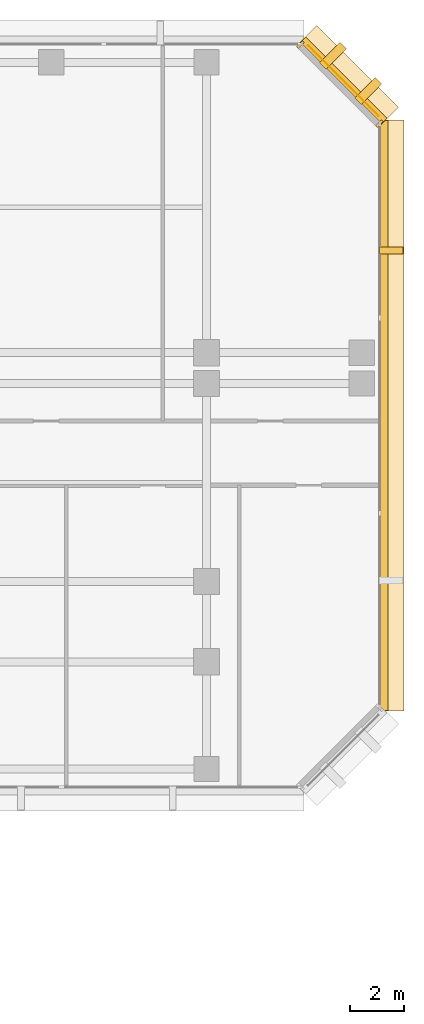
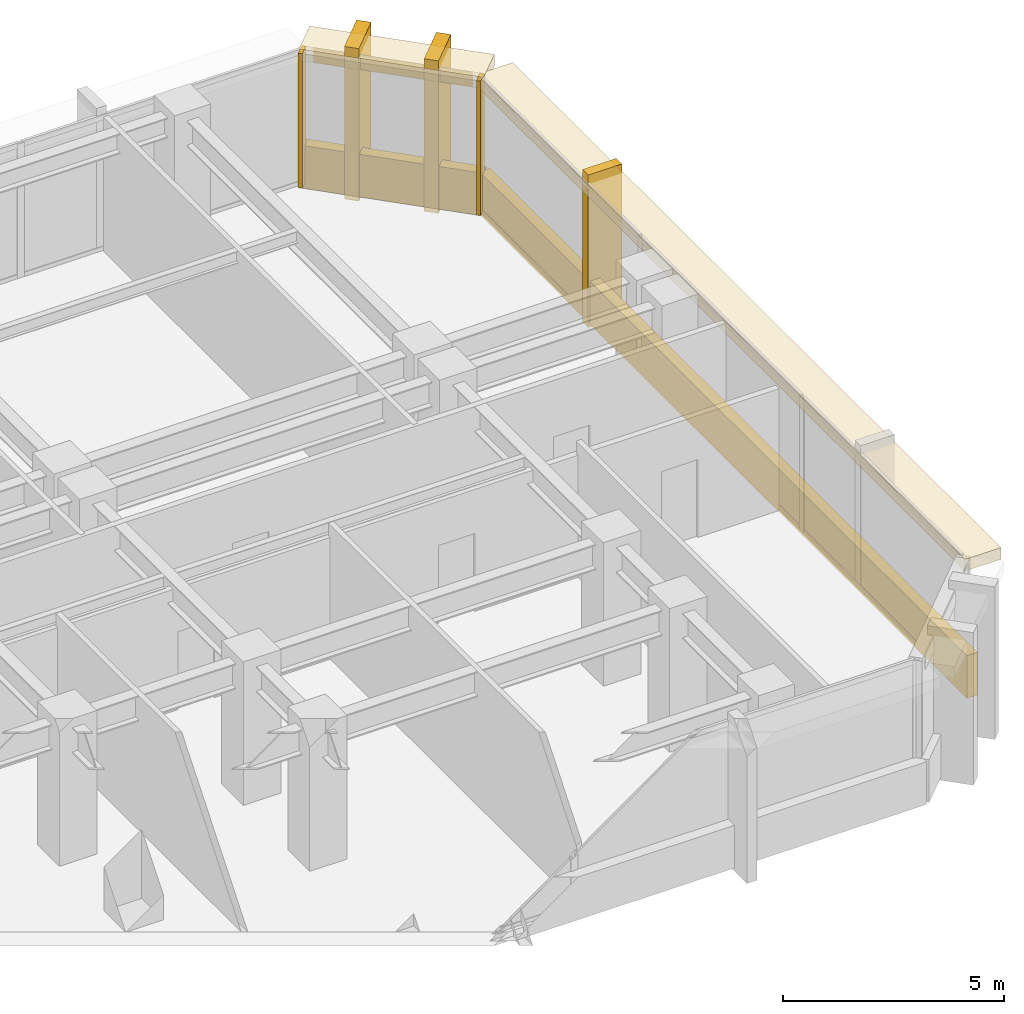
# One storey, part 13 of 13: 10 coverings.
"""IFC4 building model written with IfcOpenShell, lengths in metres."""

from ifc_helpers import new_model, si_unit, direction, frame, origin, origin_2d, place, context, subcontext, project, spatial, rectangle, extrude, material, layer, layer_set, type_object, element, save


model = new_model("IFC4")

# Units and contexts
model_context = context("Model", 3, precision=1e-05, world=origin(), true_north=direction((0.0, 1.0)))
body_context = subcontext(model_context, "Body", "Model", "MODEL_VIEW")
ifc_project = project(units=[si_unit("LENGTHUNIT", "METRE"), si_unit("AREAUNIT", "SQUARE_METRE"), si_unit("VOLUMEUNIT", "CUBIC_METRE"), si_unit("PLANEANGLEUNIT", "RADIAN"), si_unit("MASSUNIT", "GRAM", prefix="KILO")], contexts=[model_context])

# Site, building, storey
site_placement = place(None, origin())
site = spatial("IfcSite", under=ifc_project, at=site_placement, CompositionType="ELEMENT")
building_placement = place(site_placement, origin())
building = spatial("IfcBuilding", under=site, at=building_placement, Name="Kefirva Bronze Tower", CompositionType="ELEMENT")
storey_placement = place(building_placement, frame((0.0, 0.0, 58.080078125)))
storey = spatial("IfcBuildingStorey", under=building, at=storey_placement, Name="L13", CompositionType="ELEMENT", Elevation=58.080078125)

# Coverings
ifc_material = material(Name="Bronze anodised aluminium", Category="aluminium")
ifc_layer_1 = layer(ifc_material, 0.02001953125, Name="Bronze anodised aluminium")
ifc_layer_set_1 = layer_set([ifc_layer_1], Name="Bronze anodised aluminium")
covering_type_1 = type_object("IfcCoveringType", Name="Anodised Bronze Spandrel Cladding 20mm", PredefinedType="CLADDING", material=ifc_layer_set_1)
covering_1_placement = place(storey_placement, frame((56.0400390625, 32.0, -0.16015625), z_axis=(0.0, 0.0, 1.0), x_axis=(0.0, 1.0, 0.0)))
element("IfcCovering", 1, at=covering_1_placement, inside=storey, type_object=covering_type_1, Name="L13 Streamline Horizontal Spandrel Band 6", PredefinedType="CLADDING", context=body_context, shape_type="SweptSolid", body=[
    extrude(rectangle(XDim=22.0400390625, YDim=0.280029296875, at=origin_2d()), origin(), (0.0, 0.0, 1.0), 1.179931640625),
])
covering_2_placement = place(storey_placement, frame((54.507080078125, 44.507080078125, 3.2900390625), z_axis=(0.0, 0.0, 1.0), x_axis=(-0.707106781187, 0.707106781187, 0.0)))
element("IfcCovering", 2, at=covering_2_placement, inside=storey, type_object=covering_type_1, Name="L13 Bronze Spandrel Cladding 5", PredefinedType="CLADDING", context=body_context, shape_type="SweptSolid", body=[
    extrude(rectangle(XDim=3.719482421875, YDim=0.02001953125, at=origin_2d()), origin(), (0.0, 0.0, 1.0), 0.39990234375),
])
for number, where, z_axis, x_axis, name in (
    (3, (55.862060546875, 42.91162109375, 0.0), (0.0, 0.0, 1.0), (-0.707106781187, 0.707106781187, 0.0), "L13 Facade Joint Closure Panel 5S"),
    (4, (52.91162109375, 45.862060546875, 0.0), (0.0, 0.0, 1.0), (-0.707106781187, 0.707106781187, 0.0), "L13 Facade Joint Closure Panel 5E"),
):
    element("IfcCovering", number, at=place(storey_placement, frame(where, z_axis=z_axis, x_axis=x_axis)), inside=storey, type_object=covering_type_1, Name=name, PredefinedType="CLADDING", context=body_context, shape_type="SweptSolid", body=[
        extrude(rectangle(XDim=0.10009765625, YDim=0.320068359375, at=origin_2d()), origin(), (0.0, 0.0, 1.0), 3.7099609375),
    ])
covering_3_placement = place(storey_placement, frame((54.5283203125, 44.5283203125, -0.16015625), z_axis=(0.0, 0.0, 1.0), x_axis=(-0.707106781187, 0.707106781187, 0.0)))
element("IfcCovering", 5, at=covering_3_placement, inside=storey, type_object=covering_type_1, Name="L13 Streamline Horizontal Spandrel Band 7", PredefinedType="CLADDING", context=body_context, shape_type="SweptSolid", body=[
    extrude(rectangle(XDim=4.28271484375, YDim=0.280029296875, at=origin_2d()), origin(), (0.0, 0.0, 1.0), 1.179931640625),
])
ifc_layer_2 = layer(ifc_material, 0.179931640625, Name="Bronze anodised aluminium")
ifc_layer_set_2 = layer_set([ifc_layer_2], Name="Bronze anodised aluminium")
covering_type_2 = type_object("IfcCoveringType", Name="Streamline Bronze Sunshade Eyebrow Cladding 180mm", PredefinedType="CLADDING", material=ifc_layer_set_2)
covering_4_placement = place(storey_placement, frame((56.31005859375, 32.0, 3.3896484375), z_axis=(0.0, 0.0, 1.0), x_axis=(0.0, 1.0, 0.0)))
element("IfcCovering", 6, at=covering_4_placement, inside=storey, type_object=covering_type_2, Name="L13 Streamline Bronze Sunshade Eyebrow 6", PredefinedType="CLADDING", context=body_context, shape_type="SweptSolid", body=[
    extrude(rectangle(XDim=22.080078125, YDim=0.93994140625, at=origin_2d()), origin(), (0.0, 0.0, 1.0), 0.320068359375),
])
covering_5_placement = place(storey_placement, frame((54.71923828125, 44.71923828125, 3.3896484375), z_axis=(0.0, 0.0, 1.0), x_axis=(-0.707106781187, 0.707106781187, 0.0)))
element("IfcCovering", 7, at=covering_5_placement, inside=storey, type_object=covering_type_2, Name="L13 Streamline Bronze Sunshade Eyebrow 7", PredefinedType="CLADDING", context=body_context, shape_type="SweptSolid", body=[
    extrude(rectangle(XDim=4.322509765625, YDim=0.93994140625, at=origin_2d()), origin(), (0.0, 0.0, 1.0), 0.320068359375),
])
ifc_layer_3 = layer(ifc_material, 0.260009765625, Name="Bronze anodised aluminium")
ifc_layer_set_3 = layer_set([ifc_layer_3], Name="Bronze anodised aluminium")
covering_type_3 = type_object("IfcCoveringType", Name="Unbroken Bronze Buttress Fin Cladding 260mm", PredefinedType="CLADDING", material=ifc_layer_set_3)
covering_6_placement = place(storey_placement, frame((56.300048828125, 38.159912109375, -0.25), z_axis=(0.0, 0.0, 1.0), x_axis=(0.0, 1.0, 0.0)))
element("IfcCovering", 8, at=covering_6_placement, inside=storey, type_object=covering_type_3, Name="L13 Unbroken Vertical Bronze Rib Fin 16", PredefinedType="CLADDING", context=body_context, shape_type="SweptSolid", body=[
    extrude(rectangle(XDim=0.260009765625, YDim=0.8798828125, at=origin_2d()), origin(), (0.0, 0.0, 1.0), 4.2099609375),
])
for number, where, z_axis, x_axis, name in (
    (9, (55.44287109375, 44.122802734375, -0.25), (0.0, 0.0, 1.0), (-0.707106781187, 0.707106781187, 0.0), "L13 Chamfered Corner Buttress Fin Cladding 17"),
    (10, (54.122802734375, 45.44287109375, -0.25), (0.0, 0.0, 1.0), (-0.707106781187, 0.707106781187, 0.0), "L13 Chamfered Corner Buttress Fin Cladding 18"),
):
    element("IfcCovering", number, at=place(storey_placement, frame(where, z_axis=z_axis, x_axis=x_axis)), inside=storey, type_object=covering_type_3, Name=name, PredefinedType="CLADDING", context=body_context, shape_type="SweptSolid", body=[
        extrude(rectangle(XDim=0.340087890625, YDim=1.080078125, at=origin_2d()), origin(), (0.0, 0.0, 1.0), 4.2099609375),
    ])

save(model, "model.ifc")
